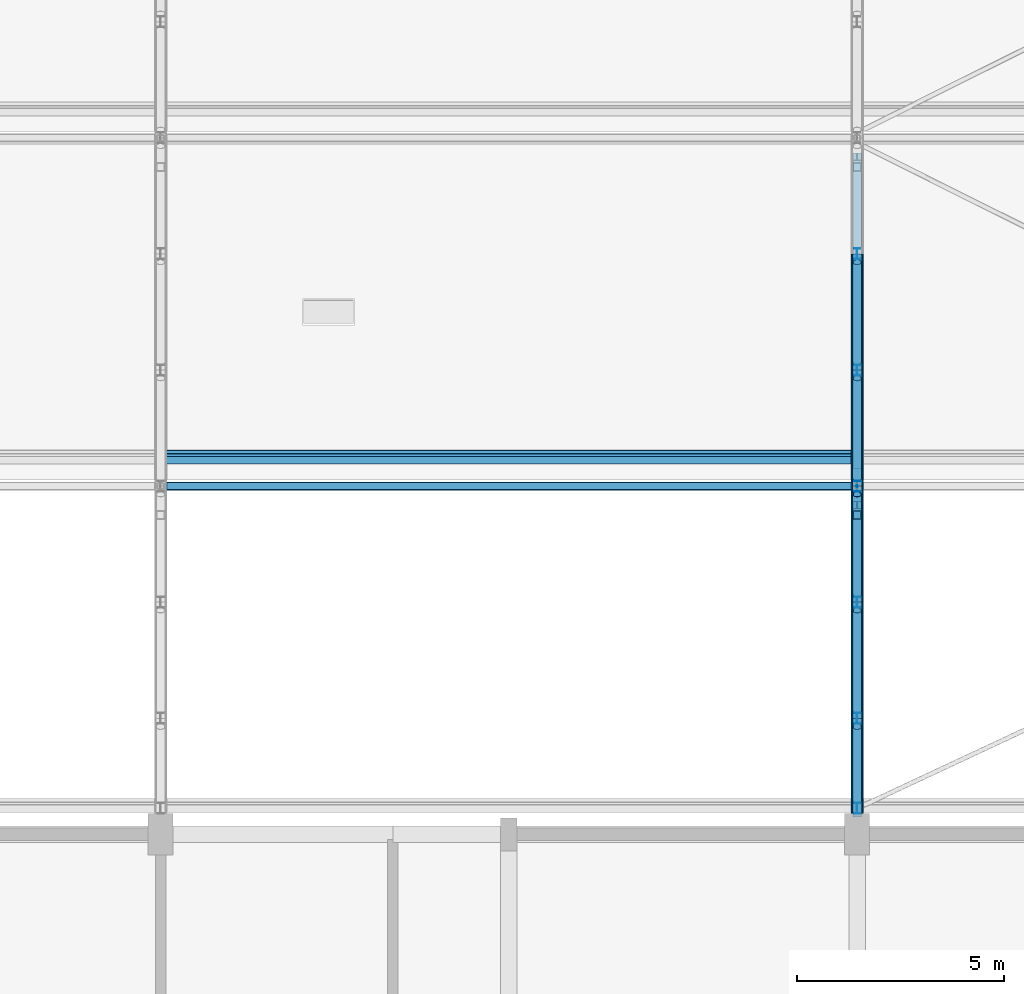
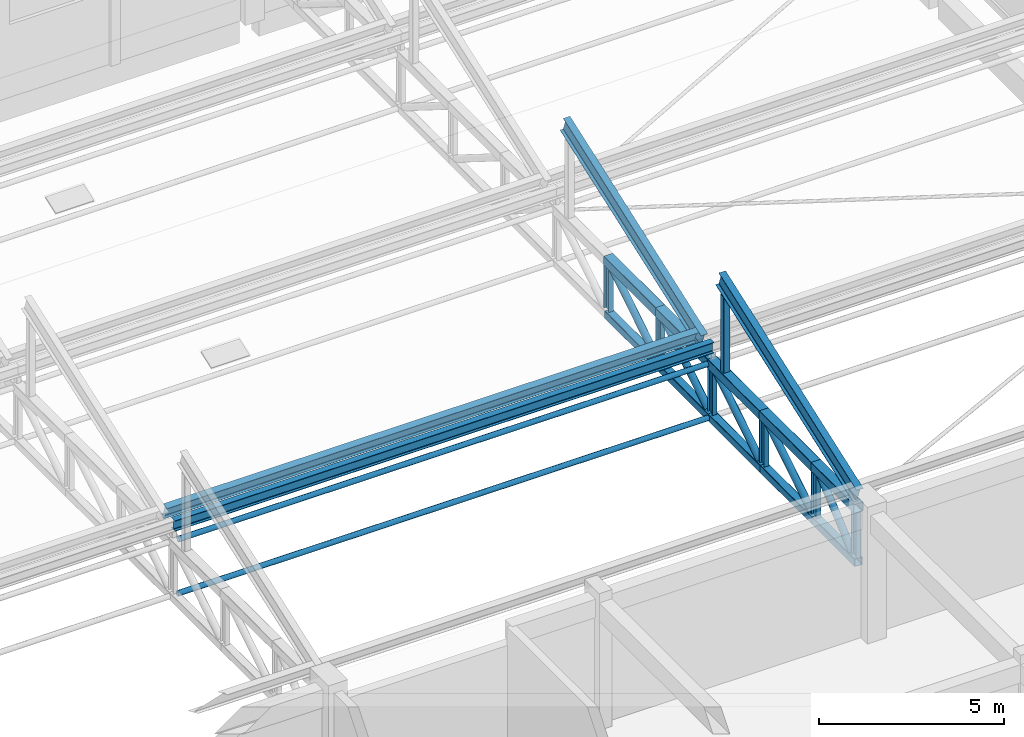
# One storey, part 29 of 101: 27 members, 1 beam.
"""IFC4 building model written with IfcOpenShell, lengths in metres."""

from ifc_helpers import new_model, si_unit, direction, frame, origin, origin_2d, place, context, subcontext, project, spatial, hollow_rectangle, hollow_circle, i_section, extrude, material, material_profile, profile_set, type_object, element, save


model = new_model("IFC4")

# Units and contexts
model_context = context("Model", 3, precision=1e-05, world=origin(), true_north=direction((0.0, 1.0)))
body_context = subcontext(model_context, "Body", "Model", "MODEL_VIEW")
ifc_project = project(units=[si_unit("LENGTHUNIT", "METRE"), si_unit("AREAUNIT", "SQUARE_METRE"), si_unit("VOLUMEUNIT", "CUBIC_METRE"), si_unit("PLANEANGLEUNIT", "RADIAN"), si_unit("MASSUNIT", "GRAM", prefix="KILO")], contexts=[model_context])

# Site, building, storey
site_placement = place(None, origin())
site = spatial("IfcSite", under=ifc_project, at=site_placement, CompositionType="ELEMENT")
building_placement = place(site_placement, origin())
building = spatial("IfcBuilding", under=site, at=building_placement, Name="Fescue Hill Polytechnic", CompositionType="ELEMENT")
storey_placement = place(building_placement, frame((0.0, 0.0, 9.0)))
storey = spatial("IfcBuildingStorey", under=building, at=storey_placement, Name="L02", CompositionType="ELEMENT", Elevation=9.0)

# Members
ifc_material = material(Name="Steel 350W (350 MPa)", Category="steel")
ifc_material_profile_1 = material_profile(ifc_material, hollow_rectangle(XDim=0.25390625, YDim=0.25390625, WallThickness=0.0126953125, InnerFilletRadius=0.0126953125, OuterFilletRadius=0.025390625, at=origin_2d()), Name="Hall truss bottom chord HSS 254x254x13")
ifc_profile_set_1 = profile_set([ifc_material_profile_1], Name="Steel 350W (350 MPa)")
member_type_1 = type_object("IfcMemberType", Name="Hall truss bottom chord HSS 254x254x13", PredefinedType="CHORD", material=ifc_profile_set_1)
member_1_placement = place(storey_placement, frame((100.800048828125, 17.300048828125, 2.0), z_axis=(0.0, 1.0, 0.0), x_axis=(-1.0, 0.0, 0.0)))
element("IfcMember", 1, at=member_1_placement, inside=storey, type_object=member_type_1, Name="Truss TR7 bottom chord 1", PredefinedType="CHORD", context=body_context, shape_type="SweptSolid", body=[
    extrude(hollow_rectangle(XDim=0.25390625, YDim=0.25390625, WallThickness=0.0126953125, InnerFilletRadius=0.0126953125, OuterFilletRadius=0.025390625, at=origin_2d()), origin(), (0.0, 0.0, 1.0), 2.300048828125),
])
member_2_placement = place(storey_placement, frame((100.800048828125, 19.60009765625, 2.0), z_axis=(0.0, 1.0, 0.0), x_axis=(-1.0, 0.0, 0.0)))
element("IfcMember", 2, at=member_2_placement, inside=storey, type_object=member_type_1, Name="Truss TR7 bottom chord 2", PredefinedType="CHORD", context=body_context, shape_type="SweptSolid", body=[
    extrude(hollow_rectangle(XDim=0.25390625, YDim=0.25390625, WallThickness=0.0126953125, InnerFilletRadius=0.0126953125, OuterFilletRadius=0.025390625, at=origin_2d()), origin(), (0.0, 0.0, 1.0), 2.7998046875),
])
for number, where, z_axis, x_axis, name in (
    (3, (100.800048828125, 22.39990234375, 2.0), (0.0, 1.0, 0.0), (-1.0, 0.0, 0.0), "Truss TR7 bottom chord 3"),
    (4, (100.800048828125, 25.199951171875, 2.0), (0.0, 1.0, 0.0), (-1.0, 0.0, 0.0), "Truss TR7 bottom chord 4"),
    (5, (100.800048828125, 28.0, 2.0), (0.0, 1.0, 0.0), (-1.0, 0.0, 0.0), "Truss TR7 bottom chord 5"),
):
    element("IfcMember", number, at=place(storey_placement, frame(where, z_axis=z_axis, x_axis=x_axis)), inside=storey, type_object=member_type_1, Name=name, PredefinedType="CHORD", context=body_context, shape_type="SweptSolid", body=[
        extrude(hollow_rectangle(XDim=0.25390625, YDim=0.25390625, WallThickness=0.0126953125, InnerFilletRadius=0.0126953125, OuterFilletRadius=0.025390625, at=origin_2d()), origin(), (0.0, 0.0, 1.0), 2.800048828125),
    ])
ifc_material_profile_2 = material_profile(ifc_material, hollow_circle(Radius=0.109619140625, WallThickness=0.009521484375, at=origin_2d()), Name="Hall truss diagonal CHS 219x9.5")
ifc_profile_set_2 = profile_set([ifc_material_profile_2], Name="Steel 350W (350 MPa)")
member_type_2 = type_object("IfcMemberType", Name="Hall truss diagonal CHS 219x9.5", PredefinedType="BRACE", material=ifc_profile_set_2)
member_3_placement = place(storey_placement, frame((100.800048828125, 17.633056640625, 2.126953125), z_axis=(0.0, 0.761443253909, 0.648231572107), x_axis=(-1.0, 0.0, 0.0)))
element("IfcMember", 6, at=member_3_placement, inside=storey, type_object=member_type_2, Name="Truss TR7 diagonal 1", PredefinedType="BRACE", context=body_context, shape_type="SweptSolid", body=[
    extrude(hollow_circle(Radius=0.109619140625, WallThickness=0.009521484375, at=origin_2d()), origin(), (0.0, 0.0, 1.0), 2.3203125),
])
for number, where, z_axis, x_axis, name in (
    (7, (100.800048828125, 19.800048828125, 2.126953125), (0.0, 0.847329350891, 0.531067765091), (-1.0, 0.0, 0.0), "Truss TR7 diagonal 2"),
    (8, (100.800048828125, 22.60009765625, 2.126953125), (0.0, 0.847329350891, 0.531067765091), (-1.0, 0.0, 0.0), "Truss TR7 diagonal 3"),
):
    element("IfcMember", number, at=place(storey_placement, frame(where, z_axis=z_axis, x_axis=x_axis)), inside=storey, type_object=member_type_2, Name=name, PredefinedType="BRACE", context=body_context, shape_type="SweptSolid", body=[
        extrude(hollow_circle(Radius=0.109619140625, WallThickness=0.009521484375, at=origin_2d()), origin(), (0.0, 0.0, 1.0), 2.832275390625),
    ])
for number, where, z_axis, x_axis, name in (
    (9, (100.800048828125, 25.39990234375, 2.126953125), (0.0, 0.847353658992, 0.531028979051), (-1.0, 0.0, 0.0), "Truss TR7 diagonal 4"),
    (10, (100.800048828125, 28.199951171875, 2.126953125), (0.0, 0.847353658992, 0.531028979051), (-1.0, 0.0, 0.0), "Truss TR7 diagonal 5"),
):
    element("IfcMember", number, at=place(storey_placement, frame(where, z_axis=z_axis, x_axis=x_axis)), inside=storey, type_object=member_type_2, Name=name, PredefinedType="BRACE", context=body_context, shape_type="SweptSolid", body=[
        extrude(hollow_circle(Radius=0.109619140625, WallThickness=0.009521484375, at=origin_2d()), origin(), (0.0, 0.0, 1.0), 2.83251953125),
    ])
ifc_material_profile_3 = material_profile(ifc_material, i_section(OverallWidth=0.14794921875, OverallDepth=0.26611328125, WebThickness=0.007568359375, FlangeThickness=0.012939453125, FilletRadius=0.013916015625, at=origin_2d()), Name="W250x45")
ifc_profile_set_3 = profile_set([ifc_material_profile_3], Name="Steel 350W (350 MPa)")
member_type_3 = type_object("IfcMemberType", Name="Hall truss post W250x45", PredefinedType="POST", material=ifc_profile_set_3)
for number, where, z_axis, x_axis, name in (
    (11, (100.800048828125, 17.43310546875, 2.126953125), (0.0, 0.0, 1.0), (1.0, 0.0, 0.0), "Truss TR7 post 1"),
    (12, (100.800048828125, 19.60009765625, 2.126953125), (0.0, 0.0, 1.0), (1.0, 0.0, 0.0), "Truss TR7 post 2"),
    (13, (100.800048828125, 22.39990234375, 2.126953125), (0.0, 0.0, 1.0), (1.0, 0.0, 0.0), "Truss TR7 post 3"),
    (14, (100.800048828125, 25.199951171875, 2.126953125), (0.0, 0.0, 1.0), (1.0, 0.0, 0.0), "Truss TR7 post 4"),
    (15, (100.800048828125, 28.0, 2.126953125), (0.0, 0.0, 1.0), (1.0, 0.0, 0.0), "Truss TR7 post 5"),
    (16, (100.800048828125, 30.800048828125, 2.126953125), (0.0, 0.0, 1.0), (1.0, 0.0, 0.0), "Truss TR7 post 6"),
):
    element("IfcMember", number, at=place(storey_placement, frame(where, z_axis=z_axis, x_axis=x_axis)), inside=storey, type_object=member_type_3, Name=name, PredefinedType="POST", context=body_context, shape_type="SweptSolid", body=[
        extrude(i_section(OverallWidth=0.14794921875, OverallDepth=0.26611328125, WebThickness=0.007568359375, FlangeThickness=0.012939453125, FilletRadius=0.013916015625, at=origin_2d()), origin(), (0.0, 0.0, 1.0), 1.504150390625),
    ])
ifc_material_profile_4 = material_profile(ifc_material, hollow_circle(Radius=0.084228515625, WallThickness=0.009521484375, at=origin_2d()), Name="Hall truss tie strut CHS 168x9.5")
ifc_profile_set_4 = profile_set([ifc_material_profile_4], Name="Steel 350W (350 MPa)")
member_type_4 = type_object("IfcMemberType", Name="Hall truss tie strut CHS 168x9.5", PredefinedType="STRUT", material=ifc_profile_set_4)
member_4_placement = place(storey_placement, frame((84.15234375, 25.199951171875, 3.783447265625), z_axis=(1.0, 0.0, 0.0), x_axis=(0.0, 1.0, 0.0)))
element("IfcMember", 17, at=member_4_placement, inside=storey, type_object=member_type_4, Name="Top chord tie strut bay 6 line 1", PredefinedType="STRUT", context=body_context, shape_type="SweptSolid", body=[
    extrude(hollow_circle(Radius=0.084228515625, WallThickness=0.009521484375, at=origin_2d()), origin(), (0.0, 0.0, 1.0), 16.495361328125),
])
member_5_placement = place(storey_placement, frame((84.126953125, 25.199951171875, 2.0), z_axis=(1.0, 0.0, 0.0), x_axis=(0.0, 1.0, 0.0)))
element("IfcMember", 18, at=member_5_placement, inside=storey, type_object=member_type_4, Name="Bottom chord tie strut bay 6 line 1", PredefinedType="STRUT", context=body_context, shape_type="SweptSolid", body=[
    extrude(hollow_circle(Radius=0.084228515625, WallThickness=0.009521484375, at=origin_2d()), origin(), (0.0, 0.0, 1.0), 16.546142578125),
])
ifc_material_profile_5 = material_profile(ifc_material, hollow_rectangle(XDim=0.3046875, YDim=0.3046875, WallThickness=0.0126953125, InnerFilletRadius=0.0126953125, OuterFilletRadius=0.025390625, at=origin_2d()), Name="Hall truss top chord HSS 305x305x13")
ifc_profile_set_5 = profile_set([ifc_material_profile_5], Name="Steel 350W (350 MPa)")
member_type_5 = type_object("IfcMemberType", Name="Hall truss top chord HSS 305x305x13", PredefinedType="CHORD", material=ifc_profile_set_5)
member_6_placement = place(storey_placement, frame((100.800048828125, 17.300048828125, 3.783447265625), z_axis=(0.0, 1.0, 0.0), x_axis=(-1.0, 0.0, 0.0)))
element("IfcMember", 19, at=member_6_placement, inside=storey, type_object=member_type_5, Name="Truss TR7 top chord 1", PredefinedType="CHORD", context=body_context, shape_type="SweptSolid", body=[
    extrude(hollow_rectangle(XDim=0.3046875, YDim=0.3046875, WallThickness=0.0126953125, InnerFilletRadius=0.0126953125, OuterFilletRadius=0.025390625, at=origin_2d()), origin(), (0.0, 0.0, 1.0), 2.300048828125),
])
member_7_placement = place(storey_placement, frame((100.800048828125, 19.60009765625, 3.783447265625), z_axis=(0.0, 1.0, 0.0), x_axis=(-1.0, 0.0, 0.0)))
element("IfcMember", 20, at=member_7_placement, inside=storey, type_object=member_type_5, Name="Truss TR7 top chord 2", PredefinedType="CHORD", context=body_context, shape_type="SweptSolid", body=[
    extrude(hollow_rectangle(XDim=0.3046875, YDim=0.3046875, WallThickness=0.0126953125, InnerFilletRadius=0.0126953125, OuterFilletRadius=0.025390625, at=origin_2d()), origin(), (0.0, 0.0, 1.0), 2.7998046875),
])
for number, where, z_axis, x_axis, name in (
    (21, (100.800048828125, 22.39990234375, 3.783447265625), (0.0, 1.0, 0.0), (-1.0, 0.0, 0.0), "Truss TR7 top chord 3"),
    (22, (100.800048828125, 25.199951171875, 3.783447265625), (0.0, 1.0, 0.0), (-1.0, 0.0, 0.0), "Truss TR7 top chord 4"),
    (23, (100.800048828125, 28.0, 3.783447265625), (0.0, 1.0, 0.0), (-1.0, 0.0, 0.0), "Truss TR7 top chord 5"),
):
    element("IfcMember", number, at=place(storey_placement, frame(where, z_axis=z_axis, x_axis=x_axis)), inside=storey, type_object=member_type_5, Name=name, PredefinedType="CHORD", context=body_context, shape_type="SweptSolid", body=[
        extrude(hollow_rectangle(XDim=0.3046875, YDim=0.3046875, WallThickness=0.0126953125, InnerFilletRadius=0.0126953125, OuterFilletRadius=0.025390625, at=origin_2d()), origin(), (0.0, 0.0, 1.0), 2.800048828125),
    ])
ifc_material_profile_6 = material_profile(ifc_material, i_section(OverallWidth=0.18994140625, OverallDepth=0.45703125, WebThickness=0.009033203125, FlangeThickness=0.014404296875, FilletRadius=0.0166015625, at=origin_2d()), Name="W460x74")
ifc_profile_set_6 = profile_set([ifc_material_profile_6], Name="Steel 350W (350 MPa)")
member_type_6 = type_object("IfcMemberType", Name="Tooth purlin W460x74", PredefinedType="PURLIN", material=ifc_profile_set_6)
member_8_placement = place(storey_placement, frame((84.1044921875, 25.89990234375, 4.294921875), z_axis=(1.0, 0.0, 0.0), x_axis=(0.0, 0.941741911595, 0.336336396997)))
element("IfcMember", 24, at=member_8_placement, inside=storey, type_object=member_type_6, Name="Tooth 2 purlin 1 bay 6", PredefinedType="PURLIN", context=body_context, shape_type="SweptSolid", body=[
    extrude(i_section(OverallWidth=0.18994140625, OverallDepth=0.45703125, WebThickness=0.009033203125, FlangeThickness=0.014404296875, FilletRadius=0.0166015625, at=origin_2d()), origin(), (0.0, 0.0, 1.0), 16.591064453125),
])
ifc_material_profile_7 = material_profile(ifc_material, i_section(OverallWidth=0.208984375, OverallDepth=0.532958984375, WebThickness=0.01025390625, FlangeThickness=0.015625, FilletRadius=0.016357421875, at=origin_2d()), Name="W530x92")
ifc_profile_set_7 = profile_set([ifc_material_profile_7], Name="Steel 350W (350 MPa)")
member_type_7 = type_object("IfcMemberType", Name="Tooth rafter W530x92", PredefinedType="RAFTER", material=ifc_profile_set_7)
member_9_placement = place(storey_placement, frame((100.800048828125, 17.310302734375, 4.18701171875), z_axis=(0.0, 0.941744009147, 0.336330523793), x_axis=(-1.0, 0.0, 0.0)))
element("IfcMember", 25, at=member_9_placement, inside=storey, type_object=member_type_7, Name="Tooth 1 rafter on TR7", PredefinedType="RAFTER", context=body_context, shape_type="SweptSolid", body=[
    extrude(i_section(OverallWidth=0.208984375, OverallDepth=0.532958984375, WebThickness=0.01025390625, FlangeThickness=0.015625, FilletRadius=0.016357421875, at=origin_2d()), origin(), (0.0, 0.0, 1.0), 7.89990234375),
])
member_10_placement = place(storey_placement, frame((100.800048828125, 25.71044921875, 4.18701171875), z_axis=(0.0, 0.941740513165, 0.336340312575), x_axis=(-1.0, 0.0, 0.0)))
element("IfcMember", 26, at=member_10_placement, inside=storey, type_object=member_type_7, Name="Tooth 2 rafter on TR7", PredefinedType="RAFTER", context=body_context, shape_type="SweptSolid", body=[
    extrude(i_section(OverallWidth=0.208984375, OverallDepth=0.532958984375, WebThickness=0.01025390625, FlangeThickness=0.015625, FilletRadius=0.016357421875, at=origin_2d()), origin(), (0.0, 0.0, 1.0), 7.899658203125),
])
ifc_material_profile_8 = material_profile(ifc_material, hollow_rectangle(XDim=0.203125, YDim=0.203125, WallThickness=0.009521484375, InnerFilletRadius=0.009521484375, OuterFilletRadius=0.01904296875, at=origin_2d()), Name="Tooth ridge post HSS 203x203x9.5")
ifc_profile_set_8 = profile_set([ifc_material_profile_8], Name="Steel 350W (350 MPa)")
member_type_8 = type_object("IfcMemberType", Name="Tooth ridge post HSS 203x203x9.5", PredefinedType="POST", material=ifc_profile_set_8)
member_11_placement = place(storey_placement, frame((100.800048828125, 24.5, 3.93603515625), z_axis=(0.0, 0.0, 1.0), x_axis=(1.0, 0.0, 0.0)))
element("IfcMember", 27, at=member_11_placement, inside=storey, type_object=member_type_8, Name="Tooth 1 ridge post on TR7", PredefinedType="POST", context=body_context, shape_type="SweptSolid", body=[
    extrude(hollow_rectangle(XDim=0.203125, YDim=0.203125, WallThickness=0.009521484375, InnerFilletRadius=0.009521484375, OuterFilletRadius=0.01904296875, at=origin_2d()), origin(), (0.0, 0.0, 1.0), 2.499267578125),
])

# Beam
ifc_material_profile_9 = material_profile(ifc_material, i_section(OverallWidth=0.2041015625, OverallDepth=0.35009765625, WebThickness=0.008544921875, FlangeThickness=0.01513671875, FilletRadius=0.02197265625, at=origin_2d()), Name="W360x72")
ifc_profile_set_9 = profile_set([ifc_material_profile_9], Name="Steel 350W (350 MPa)")
beam_type = type_object("IfcBeamType", Name="Valley gutter beam W360x72", PredefinedType="BEAM", material=ifc_profile_set_9)
beam_placement = place(storey_placement, frame((84.0, 25.199951171875, 4.324951171875), z_axis=(1.0, 0.0, 0.0), x_axis=(0.0, 1.0, 0.0)))
element("IfcBeam", 28, at=beam_placement, inside=storey, type_object=beam_type, Name="Valley 2 gutter beam bay 6", PredefinedType="BEAM", context=body_context, shape_type="SweptSolid", body=[
    extrude(i_section(OverallWidth=0.2041015625, OverallDepth=0.35009765625, WebThickness=0.008544921875, FlangeThickness=0.01513671875, FilletRadius=0.02197265625, at=origin_2d()), origin(), (0.0, 0.0, 1.0), 16.800048828125),
])

save(model, "model.ifc")
